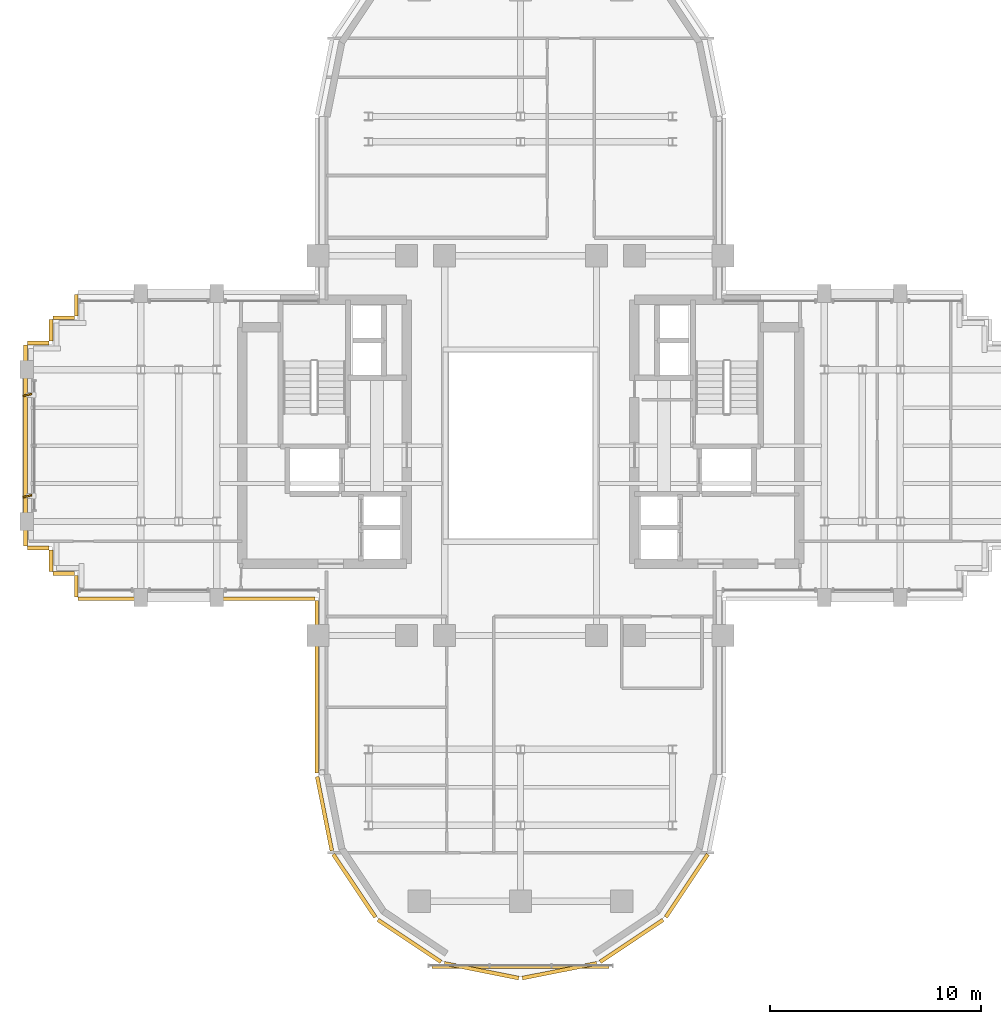
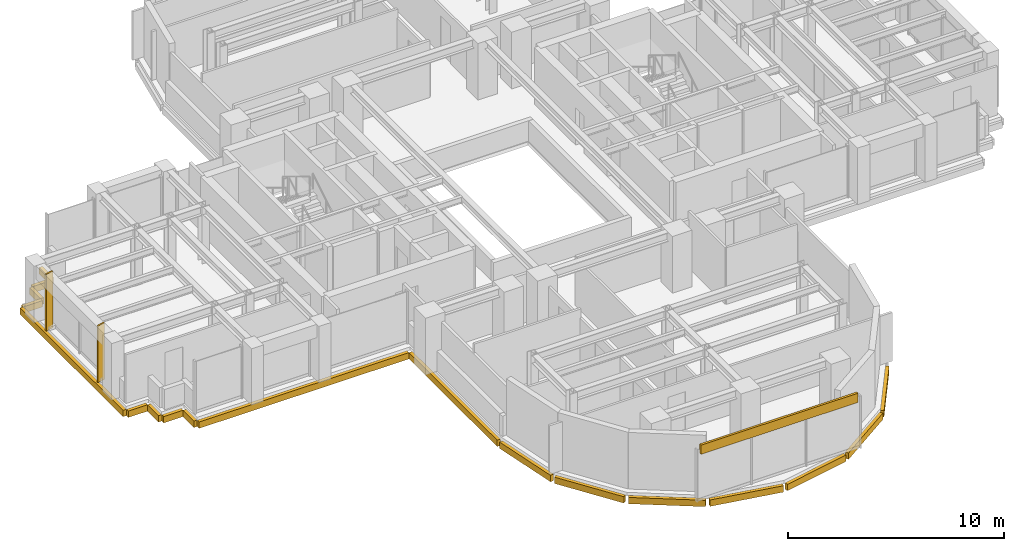
# One storey, part 12 of 14: 19 coverings, 2 shading devices.
"""IFC4 building model written with IfcOpenShell, lengths in metres."""

from ifc_helpers import new_model, si_unit, direction, frame, origin, origin_2d, place, context, subcontext, project, spatial, rectangle, extrude, source, transform, mapped, material, layer, layer_set, type_object, element, save


model = new_model("IFC4")

# Units and contexts
model_context = context("Model", 3, precision=1e-05, world=origin(), true_north=direction((0.0, 1.0)))
body_context = subcontext(model_context, "Body", "Model", "MODEL_VIEW")
ifc_project = project(units=[si_unit("LENGTHUNIT", "METRE"), si_unit("AREAUNIT", "SQUARE_METRE"), si_unit("VOLUMEUNIT", "CUBIC_METRE"), si_unit("PLANEANGLEUNIT", "RADIAN"), si_unit("MASSUNIT", "GRAM", prefix="KILO")], contexts=[model_context])

# Site, building, storey
site_placement = place(None, origin())
site = spatial("IfcSite", under=ifc_project, at=site_placement, CompositionType="ELEMENT")
building_placement = place(site_placement, origin())
building = spatial("IfcBuilding", under=site, at=building_placement, Name="Keilestroom Media Tower", CompositionType="ELEMENT")
storey_placement = place(building_placement, frame((0.0, 0.0, 134.60009765625)))
storey = spatial("IfcBuildingStorey", under=building, at=storey_placement, Name="L36", CompositionType="ELEMENT", Elevation=134.60009765625)

# Covering
ifc_material_1 = material(Name="Precast concrete C40/50", Category="concrete")
ifc_layer = layer(ifc_material_1, 0.1201171875)
ifc_layer_set = layer_set([ifc_layer], Name="Precast concrete C40/50")
covering_type = type_object("IfcCoveringType", Name="Exterior-Precast-Spandrel-Cladding-Panel-120", PredefinedType="CLADDING", material=ifc_layer_set)
shared_shape_1 = source(origin(), body_context, "Body", "SweptSolid", [
    extrude(rectangle(XDim=8.39990234375, YDim=0.1201171875, at=origin_2d()), origin(), (0.0, 0.0, 1.0), 0.52001953125),
])
covering_1_placement = place(storey_placement, frame((0.0, -24.719970703125, 2.68994140625), z_axis=(0.0, 0.0, 1.0), x_axis=(1.0, 0.0, 0.0)))
element("IfcCovering", 1, at=covering_1_placement, inside=storey, type_object=covering_type, Name="L36 Precast Spandrel Cladding S", PredefinedType="CLADDING", context=body_context, shape_type="MappedRepresentation", body=[
    mapped(shared_shape_1, transform((0.0, 0.0, 0.0), x_axis=(1.0, 0.0, 0.0), y_axis=(0.0, 1.0, 0.0), z_axis=(0.0, 0.0, 1.0), scale=1.0)),
])

# Shading devices
ifc_material_2 = material(Name="Bronze Anodised Aluminium", Category="aluminium")
shading_device_type = type_object("IfcShadingDeviceType", Name="Facade-Vertical-Sunshade-Fin-SHD-1", PredefinedType="USERDEFINED", material=ifc_material_2)
shared_shape_2 = source(origin(), body_context, "Body", "SweptSolid", [
    extrude(rectangle(XDim=0.419921875, YDim=0.080078125, at=origin_2d()), origin(), (0.0, 0.0, 1.0), 3.199951171875),
])
for number, where, z_axis, x_axis, name in (
    (2, (-23.3701171875, -2.39990234375, 0.0), (0.0, 0.0, 1.0), (0.971009250968, 0.239041909578, 0.0), "L36 Twisting Sunshade Fin SHD-1 045"),
    (3, (-23.3701171875, 2.39990234375, 0.0), (0.0, 0.0, 1.0), (0.971009250968, 0.239041909578, 0.0), "L36 Twisting Sunshade Fin SHD-1 046"),
):
    element("IfcShadingDevice", number, at=place(storey_placement, frame(where, z_axis=z_axis, x_axis=x_axis)), inside=storey, type_object=shading_device_type, Name=name, ObjectType="SUNSHADE", PredefinedType="USERDEFINED", context=body_context, shape_type="MappedRepresentation", body=[
        mapped(shared_shape_2, transform((0.0, 0.0, 0.0), x_axis=(1.0, 0.0, 0.0), y_axis=(0.0, 1.0, 0.0), z_axis=(0.0, 0.0, 1.0), scale=1.0)),
    ])

# Coverings
shared_shape_3 = source(origin(), body_context, "Body", "SweptSolid", [
    extrude(rectangle(XDim=1.02001953125, YDim=0.179931640625, at=origin_2d()), origin(), (0.0, 0.0, 1.0), 0.360107421875),
])
for number, where, z_axis, x_axis, name in (
    (4, (-21.06005859375, -6.659912109375, -0.5400390625), (0.0, 0.0, 1.0), (0.0, 1.0, 0.0), "L36 Precast Slab-Edge Fascia Cornice 17"),
    (5, (-21.659912109375, -6.06005859375, -0.5400390625), (0.0, 0.0, 1.0), (-1.0, 0.0, 0.0), "L36 Precast Slab-Edge Fascia Cornice 18"),
    (6, (-22.260009765625, -5.4599609375, -0.5400390625), (0.0, 0.0, 1.0), (0.0, 1.0, 0.0), "L36 Precast Slab-Edge Fascia Cornice 19"),
    (7, (-22.860107421875, -4.860107421875, -0.5400390625), (0.0, 0.0, 1.0), (-1.0, 0.0, 0.0), "L36 Precast Slab-Edge Fascia Cornice 20"),
    (8, (-22.860107421875, 4.860107421875, -0.5400390625), (0.0, 0.0, 1.0), (1.0, 0.0, 0.0), "L36 Precast Slab-Edge Fascia Cornice 22"),
    (9, (-22.260009765625, 5.4599609375, -0.5400390625), (0.0, 0.0, 1.0), (0.0, 1.0, 0.0), "L36 Precast Slab-Edge Fascia Cornice 23"),
    (10, (-21.659912109375, 6.06005859375, -0.5400390625), (0.0, 0.0, 1.0), (1.0, 0.0, 0.0), "L36 Precast Slab-Edge Fascia Cornice 24"),
    (11, (-21.06005859375, 6.659912109375, -0.5400390625), (0.0, 0.0, 1.0), (0.0, 1.0, 0.0), "L36 Precast Slab-Edge Fascia Cornice 25"),
):
    element("IfcCovering", number, at=place(storey_placement, frame(where, z_axis=z_axis, x_axis=x_axis)), inside=storey, type_object=covering_type, Name=name, PredefinedType="CLADDING", context=body_context, shape_type="MappedRepresentation", body=[
        mapped(shared_shape_3, transform((0.0, 0.0, 0.0), x_axis=(1.0, 0.0, 0.0), y_axis=(0.0, 1.0, 0.0), z_axis=(0.0, 0.0, 1.0), scale=1.0)),
    ])
shared_shape_4 = source(origin(), body_context, "Body", "SweptSolid", [
    extrude(rectangle(XDim=8.166015625, YDim=0.179931640625, at=origin_2d()), origin(), (0.0, 0.0, 1.0), 0.360107421875),
])
covering_2_placement = place(storey_placement, frame((-9.659912109375, -11.43310546875, -0.5400390625), z_axis=(0.0, 0.0, 1.0), x_axis=(0.0, 1.0, 0.0)))
element("IfcCovering", 12, at=covering_2_placement, inside=storey, type_object=covering_type, Name="L36 Precast Slab-Edge Fascia Cornice 15", PredefinedType="CLADDING", context=body_context, shape_type="MappedRepresentation", body=[
    mapped(shared_shape_4, transform((0.0, 0.0, 0.0), x_axis=(1.0, 0.0, 0.0), y_axis=(0.0, 1.0, 0.0), z_axis=(0.0, 0.0, 1.0), scale=1.0)),
])
shared_shape_5 = source(origin(), body_context, "Body", "SweptSolid", [
    extrude(rectangle(XDim=3.58349609375, YDim=0.179931640625, at=origin_2d()), origin(), (0.0, 0.0, 1.0), 0.360107421875),
])
covering_3_placement = place(storey_placement, frame((-9.29296875, -17.45166015625, -0.5400390625), z_axis=(0.0, 0.0, 1.0), x_axis=(-0.195098880975, 0.980783577882, 0.0)))
element("IfcCovering", 13, at=covering_3_placement, inside=storey, type_object=covering_type, Name="L36 Precast Slab-Edge Fascia Cornice 14", PredefinedType="CLADDING", context=body_context, shape_type="MappedRepresentation", body=[
    mapped(shared_shape_5, transform((0.0, 0.0, 0.0), x_axis=(1.0, 0.0, 0.0), y_axis=(0.0, 1.0, 0.0), z_axis=(0.0, 0.0, 1.0), scale=1.0)),
])
shared_shape_6 = source(origin(), body_context, "Body", "SweptSolid", [
    extrude(rectangle(XDim=3.589599609375, YDim=0.179931640625, at=origin_2d()), origin(), (0.0, 0.0, 1.0), 0.360107421875),
])
for number, where, z_axis, x_axis, name in (
    (14, (7.878662109375, -20.8642578125, -0.5400390625), (0.0, 0.0, 1.0), (-0.555574586577, -0.831466703332, 0.0), "L36 Precast Slab-Edge Fascia Cornice 08"),
    (15, (5.264404296875, -23.478515625, -0.5400390625), (0.0, 0.0, 1.0), (-0.831466703332, -0.555574586577, 0.0), "L36 Precast Slab-Edge Fascia Cornice 09"),
    (16, (1.8486328125, -24.893310546875, -0.5400390625), (0.0, 0.0, 1.0), (-0.980783577882, -0.195098880975, 0.0), "L36 Precast Slab-Edge Fascia Cornice 10"),
    (17, (-1.8486328125, -24.893310546875, -0.5400390625), (0.0, 0.0, 1.0), (-0.980783577882, 0.195098880975, 0.0), "L36 Precast Slab-Edge Fascia Cornice 11"),
    (18, (-5.264404296875, -23.478515625, -0.5400390625), (0.0, 0.0, 1.0), (-0.831466703332, 0.555574586577, 0.0), "L36 Precast Slab-Edge Fascia Cornice 12"),
    (19, (-7.878662109375, -20.8642578125, -0.5400390625), (0.0, 0.0, 1.0), (-0.555574586577, 0.831466703332, 0.0), "L36 Precast Slab-Edge Fascia Cornice 13"),
):
    element("IfcCovering", number, at=place(storey_placement, frame(where, z_axis=z_axis, x_axis=x_axis)), inside=storey, type_object=covering_type, Name=name, PredefinedType="CLADDING", context=body_context, shape_type="MappedRepresentation", body=[
        mapped(shared_shape_6, transform((0.0, 0.0, 0.0), x_axis=(1.0, 0.0, 0.0), y_axis=(0.0, 1.0, 0.0), z_axis=(0.0, 0.0, 1.0), scale=1.0)),
    ])
shared_shape_7 = source(origin(), body_context, "Body", "SweptSolid", [
    extrude(rectangle(XDim=9.5400390625, YDim=0.179931640625, at=origin_2d()), origin(), (0.0, 0.0, 1.0), 0.360107421875),
])
covering_4_placement = place(storey_placement, frame((-23.4599609375, 0.0, -0.5400390625), z_axis=(0.0, 0.0, 1.0), x_axis=(0.0, 1.0, 0.0)))
element("IfcCovering", 20, at=covering_4_placement, inside=storey, type_object=covering_type, Name="L36 Precast Slab-Edge Fascia Cornice 21", PredefinedType="CLADDING", context=body_context, shape_type="MappedRepresentation", body=[
    mapped(shared_shape_7, transform((0.0, 0.0, 0.0), x_axis=(1.0, 0.0, 0.0), y_axis=(0.0, 1.0, 0.0), z_axis=(0.0, 0.0, 1.0), scale=1.0)),
])
shared_shape_8 = source(origin(), body_context, "Body", "SweptSolid", [
    extrude(rectangle(XDim=11.219970703125, YDim=0.179931640625, at=origin_2d()), origin(), (0.0, 0.0, 1.0), 0.360107421875),
])
covering_5_placement = place(storey_placement, frame((-15.360107421875, -7.260009765625, -0.5400390625), z_axis=(0.0, 0.0, 1.0), x_axis=(-1.0, 0.0, 0.0)))
element("IfcCovering", 21, at=covering_5_placement, inside=storey, type_object=covering_type, Name="L36 Precast Slab-Edge Fascia Cornice 16", PredefinedType="CLADDING", context=body_context, shape_type="MappedRepresentation", body=[
    mapped(shared_shape_8, transform((0.0, 0.0, 0.0), x_axis=(1.0, 0.0, 0.0), y_axis=(0.0, 1.0, 0.0), z_axis=(0.0, 0.0, 1.0), scale=1.0)),
])

save(model, "model.ifc")
